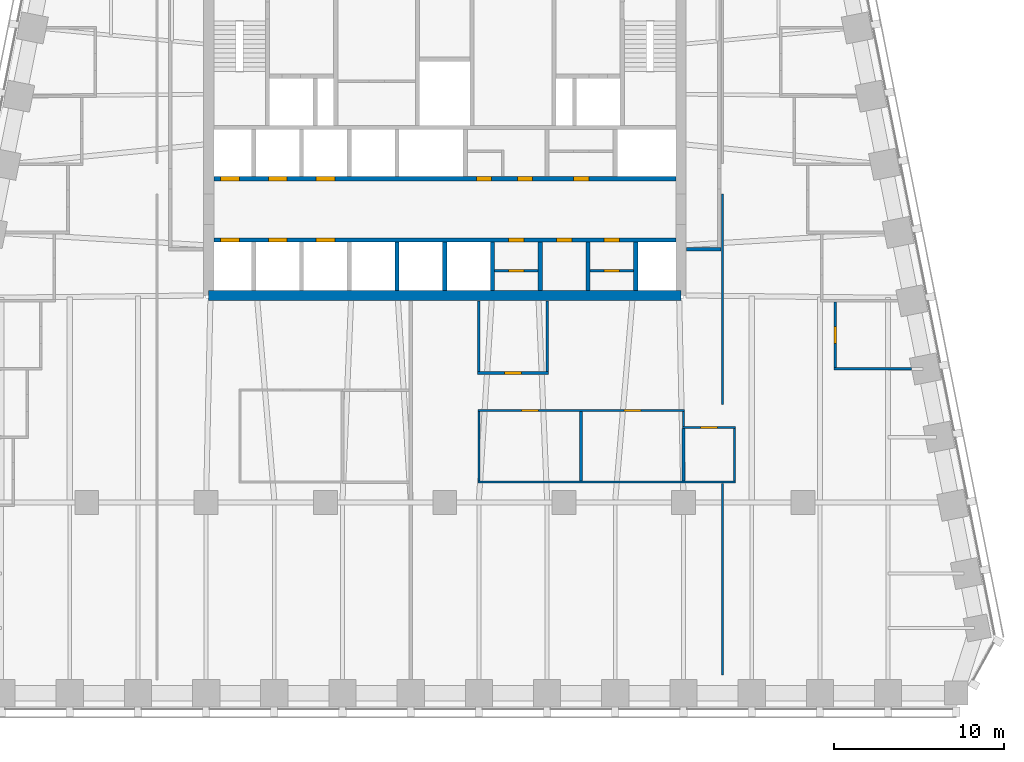
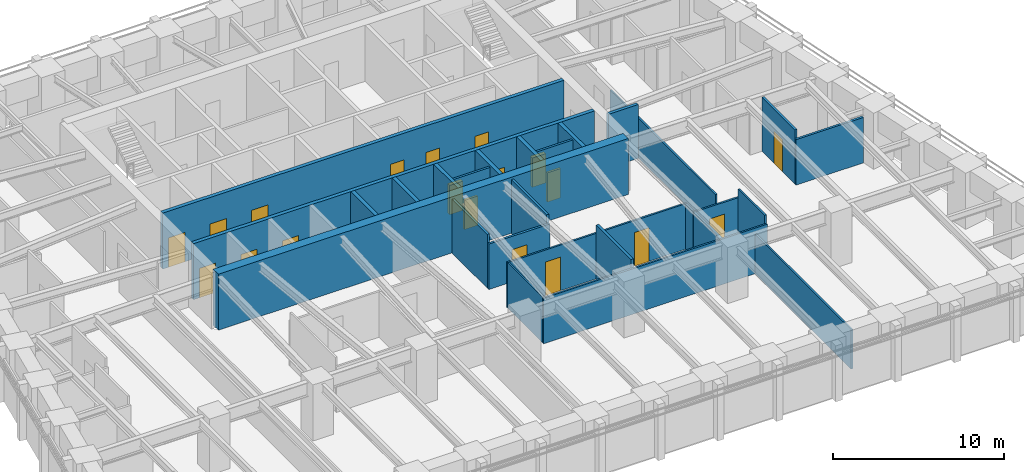
# One storey, part 6 of 10: 27 walls, 19 doors, 19 openings.
"""IFC4 building model written with IfcOpenShell, lengths in metres."""

from ifc_helpers import new_model, si_unit, direction, frame, frame_2d, origin, place, context, subcontext, project, spatial, rectangle, extrude, material, layer, layer_set, type_object, element, fill, save


model = new_model("IFC4")

# Units and contexts
model_context = context("Model", 3, precision=1e-05, world=origin(), true_north=direction((0.0, 1.0)))
body_context = subcontext(model_context, "Body", "Model", "MODEL_VIEW")
ifc_project = project(units=[si_unit("LENGTHUNIT", "METRE"), si_unit("AREAUNIT", "SQUARE_METRE"), si_unit("VOLUMEUNIT", "CUBIC_METRE"), si_unit("PLANEANGLEUNIT", "RADIAN"), si_unit("MASSUNIT", "GRAM", prefix="KILO")], contexts=[model_context])

# Site, building, storey
site_placement = place(None, origin())
site = spatial("IfcSite", under=ifc_project, at=site_placement, CompositionType="ELEMENT")
building_placement = place(site_placement, origin())
building = spatial("IfcBuilding", under=site, at=building_placement, Name="Isbrekke Arena Tower", CompositionType="ELEMENT")
storey_placement = place(building_placement, frame((0.0, 0.0, 190.0)))
storey = spatial("IfcBuildingStorey", under=building, at=storey_placement, Name="L43", CompositionType="ELEMENT", Elevation=190.0)

# Wall
ifc_material_1 = material(Name="Concrete B55 (C55/67)", Category="concrete")
ifc_layer_1 = layer(ifc_material_1, 0.60009765625)
ifc_layer_set_1 = layer_set([ifc_layer_1], Name="CW4 CORE WALL 600")
wall_type_1 = type_object("IfcWallType", Name="CW4 CORE WALL 600", PredefinedType="SHEAR", material=ifc_layer_set_1)
wall_1_placement = place(storey_placement, frame((-13.85009765625, 6.14990234375, 0.0), z_axis=(0.0, 0.0, 1.0), x_axis=(1.0, 0.0, 0.0)))
element("IfcWall", 1, at=wall_1_placement, inside=storey, type_object=wall_type_1, Name="Core wall S L43", PredefinedType="SHEAR", context=body_context, shape_type="SweptSolid", body=[
    extrude(rectangle(XDim=27.7001953125, YDim=0.60009765625, at=frame_2d((13.85009765625, 0.0))), origin(), (0.0, 0.0, 1.0), 4.0),
])

# Wall, openings, doors
ifc_material_2 = material(Name="Concrete B45 (C45/55)", Category="concrete")
ifc_layer_2 = layer(ifc_material_2, 0.25)
ifc_layer_set_2 = layer_set([ifc_layer_2], Name="CW6 SHAFT WALL 250")
wall_type_2 = type_object("IfcWallType", Name="CW6 SHAFT WALL 250", PredefinedType="SHEAR", material=ifc_layer_set_2)
wall_2_placement = place(storey_placement, frame((-13.550048828125, 9.39990234375, 0.0), z_axis=(0.0, 0.0, 1.0), x_axis=(1.0, 0.0, 0.0)))
wall_2 = element("IfcWall", 2, at=wall_2_placement, inside=storey, type_object=wall_type_2, Name="Core wall LS L43", PredefinedType="SHEAR", context=body_context, shape_type="SweptSolid", body=[
    extrude(rectangle(XDim=27.10009765625, YDim=0.25, at=frame_2d((13.550048828125, 0.0))), origin(), (0.0, 0.0, 1.0), 4.0),
])
opening_1_placement = place(wall_2_placement, frame((0.39990234375, 0.0, 0.0)))
opening_1 = element("IfcOpeningElement", 3, at=opening_1_placement, cuts=wall_2, Name="Opening LD1", PredefinedType="OPENING", context=body_context, shape_type="SweptSolid", body=[
    extrude(rectangle(XDim=1.10009765625, YDim=2.10009765625, at=frame_2d((0.550048828125, 1.050048828125))), frame((0.0, 0.139892578125, 0.0), z_axis=(0.0, -1.0, 0.0), x_axis=(1.0, 0.0, 0.0)), (0.0, 0.0, 1.0), 0.27978515625),
])
opening_2_placement = place(wall_2_placement, frame((3.199951171875, 0.0, 0.0)))
opening_2 = element("IfcOpeningElement", 4, at=opening_2_placement, cuts=wall_2, Name="Opening LD1", PredefinedType="OPENING", context=body_context, shape_type="SweptSolid", body=[
    extrude(rectangle(XDim=1.10009765625, YDim=2.10009765625, at=frame_2d((0.550048828125, 1.050048828125))), frame((0.0, 0.139892578125, 0.0), z_axis=(0.0, -1.0, 0.0), x_axis=(1.0, 0.0, 0.0)), (0.0, 0.0, 1.0), 0.27978515625),
])
opening_3_placement = place(wall_2_placement, frame((6.0, 0.0, 0.0)))
opening_3 = element("IfcOpeningElement", 5, at=opening_3_placement, cuts=wall_2, Name="Opening LD1", PredefinedType="OPENING", context=body_context, shape_type="SweptSolid", body=[
    extrude(rectangle(XDim=1.10009765625, YDim=2.10009765625, at=frame_2d((0.550048828125, 1.050048828125))), frame((0.0, 0.139892578125, 0.0), z_axis=(0.0, -1.0, 0.0), x_axis=(1.0, 0.0, 0.0)), (0.0, 0.0, 1.0), 0.27978515625),
])
opening_4_placement = place(wall_2_placement, frame((17.300048828125, 0.0, 0.0)))
opening_4 = element("IfcOpeningElement", 6, at=opening_4_placement, cuts=wall_2, Name="Opening D5", PredefinedType="OPENING", context=body_context, shape_type="SweptSolid", body=[
    extrude(rectangle(XDim=0.89990234375, YDim=2.10009765625, at=frame_2d((0.449951171875, 1.050048828125))), frame((0.0, 0.139892578125, 0.0), z_axis=(0.0, -1.0, 0.0), x_axis=(1.0, 0.0, 0.0)), (0.0, 0.0, 1.0), 0.27978515625),
])
opening_5_placement = place(wall_2_placement, frame((20.10009765625, 0.0, 0.0)))
opening_5 = element("IfcOpeningElement", 7, at=opening_5_placement, cuts=wall_2, Name="Opening D5", PredefinedType="OPENING", context=body_context, shape_type="SweptSolid", body=[
    extrude(rectangle(XDim=0.89990234375, YDim=2.10009765625, at=frame_2d((0.449951171875, 1.050048828125))), frame((0.0, 0.139892578125, 0.0), z_axis=(0.0, -1.0, 0.0), x_axis=(1.0, 0.0, 0.0)), (0.0, 0.0, 1.0), 0.27978515625),
])
opening_6_placement = place(wall_2_placement, frame((22.89990234375, 0.0, 0.0)))
opening_6 = element("IfcOpeningElement", 8, at=opening_6_placement, cuts=wall_2, Name="Opening D5", PredefinedType="OPENING", context=body_context, shape_type="SweptSolid", body=[
    extrude(rectangle(XDim=0.89990234375, YDim=2.10009765625, at=frame_2d((0.449951171875, 1.050048828125))), frame((0.0, 0.139892578125, 0.0), z_axis=(0.0, -1.0, 0.0), x_axis=(1.0, 0.0, 0.0)), (0.0, 0.0, 1.0), 0.27978515625),
])
ifc_material_3 = material(Name="Steel fire door", Category="steel")
door_type_1 = type_object("IfcDoorType", Name="D5 SERVICE DOOR 900 x 2100", OperationType="SINGLE_SWING_LEFT", PredefinedType="DOOR", material=ifc_material_3)
door_1_placement = place(opening_4_placement, origin())
door_1 = element("IfcDoor", 9, at=door_1_placement, inside=storey, type_object=door_type_1, Name="D5 first-aid room door L43", OperationType="SINGLE_SWING_LEFT", OverallHeight=2.10009765625, OverallWidth=0.89990234375, PredefinedType="DOOR", context=body_context, shape_type="SweptSolid", body=[
    extrude(rectangle(XDim=0.89990234375, YDim=2.10009765625, at=frame_2d((0.449951171875, 1.050048828125))), frame((0.0, 0.124755859375, 0.0), z_axis=(0.0, -1.0, 0.0), x_axis=(1.0, 0.0, 0.0)), (0.0, 0.0, 1.0), 0.24951171875),
])
fill(opening_4, door_1)
door_2_placement = place(opening_5_placement, origin())
door_2 = element("IfcDoor", 10, at=door_2_placement, inside=storey, type_object=door_type_1, Name="D5 tenant store door L43", OperationType="SINGLE_SWING_LEFT", OverallHeight=2.10009765625, OverallWidth=0.89990234375, PredefinedType="DOOR", context=body_context, shape_type="SweptSolid", body=[
    extrude(rectangle(XDim=0.89990234375, YDim=2.10009765625, at=frame_2d((0.449951171875, 1.050048828125))), frame((0.0, 0.124755859375, 0.0), z_axis=(0.0, -1.0, 0.0), x_axis=(1.0, 0.0, 0.0)), (0.0, 0.0, 1.0), 0.24951171875),
])
fill(opening_5, door_2)
door_3_placement = place(opening_6_placement, origin())
door_3 = element("IfcDoor", 11, at=door_3_placement, inside=storey, type_object=door_type_1, Name="D5 pantry door L43", OperationType="SINGLE_SWING_LEFT", OverallHeight=2.10009765625, OverallWidth=0.89990234375, PredefinedType="DOOR", context=body_context, shape_type="SweptSolid", body=[
    extrude(rectangle(XDim=0.89990234375, YDim=2.10009765625, at=frame_2d((0.449951171875, 1.050048828125))), frame((0.0, 0.124755859375, 0.0), z_axis=(0.0, -1.0, 0.0), x_axis=(1.0, 0.0, 0.0)), (0.0, 0.0, 1.0), 0.24951171875),
])
fill(opening_6, door_3)
ifc_material_4 = material(Name="Stainless steel lift landing door", Category="steel")
door_type_2 = type_object("IfcDoorType", Name="LD1 LIFT LANDING DOOR 1100 x 2100", OperationType="SLIDING_TO_LEFT", PredefinedType="DOOR", material=ifc_material_4)
door_4_placement = place(opening_1_placement, origin())
door_4 = element("IfcDoor", 12, at=door_4_placement, inside=storey, type_object=door_type_2, Name="LD1 lift landing door LC L43", OperationType="SLIDING_TO_LEFT", OverallHeight=2.10009765625, OverallWidth=1.10009765625, PredefinedType="DOOR", context=body_context, shape_type="SweptSolid", body=[
    extrude(rectangle(XDim=1.10009765625, YDim=2.10009765625, at=frame_2d((0.550048828125, 1.050048828125))), frame((0.0, 0.124755859375, 0.0), z_axis=(0.0, -1.0, 0.0), x_axis=(1.0, 0.0, 0.0)), (0.0, 0.0, 1.0), 0.24951171875),
])
fill(opening_1, door_4)
door_5_placement = place(opening_2_placement, origin())
door_5 = element("IfcDoor", 13, at=door_5_placement, inside=storey, type_object=door_type_2, Name="LD1 lift landing door LC L43", OperationType="SLIDING_TO_LEFT", OverallHeight=2.10009765625, OverallWidth=1.10009765625, PredefinedType="DOOR", context=body_context, shape_type="SweptSolid", body=[
    extrude(rectangle(XDim=1.10009765625, YDim=2.10009765625, at=frame_2d((0.550048828125, 1.050048828125))), frame((0.0, 0.124755859375, 0.0), z_axis=(0.0, -1.0, 0.0), x_axis=(1.0, 0.0, 0.0)), (0.0, 0.0, 1.0), 0.24951171875),
])
fill(opening_2, door_5)
door_6_placement = place(opening_3_placement, origin())
door_6 = element("IfcDoor", 14, at=door_6_placement, inside=storey, type_object=door_type_2, Name="LD1 lift landing door LC L43", OperationType="SLIDING_TO_LEFT", OverallHeight=2.10009765625, OverallWidth=1.10009765625, PredefinedType="DOOR", context=body_context, shape_type="SweptSolid", body=[
    extrude(rectangle(XDim=1.10009765625, YDim=2.10009765625, at=frame_2d((0.550048828125, 1.050048828125))), frame((0.0, 0.124755859375, 0.0), z_axis=(0.0, -1.0, 0.0), x_axis=(1.0, 0.0, 0.0)), (0.0, 0.0, 1.0), 0.24951171875),
])
fill(opening_3, door_6)

wall_3_placement = place(storey_placement, frame((-13.550048828125, 13.0, 0.0), z_axis=(0.0, 0.0, 1.0), x_axis=(1.0, 0.0, 0.0)))
wall_3 = element("IfcWall", 15, at=wall_3_placement, inside=storey, type_object=wall_type_2, Name="Core wall LN L43", PredefinedType="SHEAR", context=body_context, shape_type="SweptSolid", body=[
    extrude(rectangle(XDim=27.10009765625, YDim=0.25, at=frame_2d((13.550048828125, 0.0))), origin(), (0.0, 0.0, 1.0), 4.0),
])
opening_7_placement = place(wall_3_placement, frame((0.39990234375, 0.0, 0.0)))
opening_7 = element("IfcOpeningElement", 16, at=opening_7_placement, cuts=wall_3, Name="Opening LD1", PredefinedType="OPENING", context=body_context, shape_type="SweptSolid", body=[
    extrude(rectangle(XDim=1.10009765625, YDim=2.10009765625, at=frame_2d((0.550048828125, 1.050048828125))), frame((0.0, 0.139892578125, 0.0), z_axis=(0.0, -1.0, 0.0), x_axis=(1.0, 0.0, 0.0)), (0.0, 0.0, 1.0), 0.27978515625),
])
opening_8_placement = place(wall_3_placement, frame((3.199951171875, 0.0, 0.0)))
opening_8 = element("IfcOpeningElement", 17, at=opening_8_placement, cuts=wall_3, Name="Opening LD1", PredefinedType="OPENING", context=body_context, shape_type="SweptSolid", body=[
    extrude(rectangle(XDim=1.10009765625, YDim=2.10009765625, at=frame_2d((0.550048828125, 1.050048828125))), frame((0.0, 0.139892578125, 0.0), z_axis=(0.0, -1.0, 0.0), x_axis=(1.0, 0.0, 0.0)), (0.0, 0.0, 1.0), 0.27978515625),
])
opening_9_placement = place(wall_3_placement, frame((6.0, 0.0, 0.0)))
opening_9 = element("IfcOpeningElement", 18, at=opening_9_placement, cuts=wall_3, Name="Opening LD1", PredefinedType="OPENING", context=body_context, shape_type="SweptSolid", body=[
    extrude(rectangle(XDim=1.10009765625, YDim=2.10009765625, at=frame_2d((0.550048828125, 1.050048828125))), frame((0.0, 0.139892578125, 0.0), z_axis=(0.0, -1.0, 0.0), x_axis=(1.0, 0.0, 0.0)), (0.0, 0.0, 1.0), 0.27978515625),
])
opening_10_placement = place(wall_3_placement, frame((17.800048828125, 0.0, 0.0)))
opening_10 = element("IfcOpeningElement", 19, at=opening_10_placement, cuts=wall_3, Name="Opening D5", PredefinedType="OPENING", context=body_context, shape_type="SweptSolid", body=[
    extrude(rectangle(XDim=0.89990234375, YDim=2.10009765625, at=frame_2d((0.449951171875, 1.050048828125))), frame((0.0, 0.139892578125, 0.0), z_axis=(0.0, -1.0, 0.0), x_axis=(1.0, 0.0, 0.0)), (0.0, 0.0, 1.0), 0.27978515625),
])
opening_11_placement = place(wall_3_placement, frame((15.39990234375, 0.0, 0.0)))
opening_11 = element("IfcOpeningElement", 20, at=opening_11_placement, cuts=wall_3, Name="Opening D5", PredefinedType="OPENING", context=body_context, shape_type="SweptSolid", body=[
    extrude(rectangle(XDim=0.89990234375, YDim=2.10009765625, at=frame_2d((0.449951171875, 1.050048828125))), frame((0.0, 0.139892578125, 0.0), z_axis=(0.0, -1.0, 0.0), x_axis=(1.0, 0.0, 0.0)), (0.0, 0.0, 1.0), 0.27978515625),
])
opening_12_placement = place(wall_3_placement, frame((21.10009765625, 0.0, 0.0)))
opening_12 = element("IfcOpeningElement", 21, at=opening_12_placement, cuts=wall_3, Name="Opening D5", PredefinedType="OPENING", context=body_context, shape_type="SweptSolid", body=[
    extrude(rectangle(XDim=0.89990234375, YDim=2.10009765625, at=frame_2d((0.449951171875, 1.050048828125))), frame((0.0, 0.139892578125, 0.0), z_axis=(0.0, -1.0, 0.0), x_axis=(1.0, 0.0, 0.0)), (0.0, 0.0, 1.0), 0.27978515625),
])
door_7_placement = place(opening_10_placement, origin())
door_7 = element("IfcDoor", 22, at=door_7_placement, inside=storey, type_object=door_type_1, Name="D5 communications room door L43", OperationType="SINGLE_SWING_LEFT", OverallHeight=2.10009765625, OverallWidth=0.89990234375, PredefinedType="DOOR", context=body_context, shape_type="SweptSolid", body=[
    extrude(rectangle(XDim=0.89990234375, YDim=2.10009765625, at=frame_2d((0.449951171875, 1.050048828125))), frame((0.0, 0.124755859375, 0.0), z_axis=(0.0, -1.0, 0.0), x_axis=(1.0, 0.0, 0.0)), (0.0, 0.0, 1.0), 0.24951171875),
])
fill(opening_10, door_7)
door_8_placement = place(opening_11_placement, origin())
door_8 = element("IfcDoor", 23, at=door_8_placement, inside=storey, type_object=door_type_1, Name="D5 cleaner's store door L43", OperationType="SINGLE_SWING_LEFT", OverallHeight=2.10009765625, OverallWidth=0.89990234375, PredefinedType="DOOR", context=body_context, shape_type="SweptSolid", body=[
    extrude(rectangle(XDim=0.89990234375, YDim=2.10009765625, at=frame_2d((0.449951171875, 1.050048828125))), frame((0.0, 0.124755859375, 0.0), z_axis=(0.0, -1.0, 0.0), x_axis=(1.0, 0.0, 0.0)), (0.0, 0.0, 1.0), 0.24951171875),
])
fill(opening_11, door_8)
door_9_placement = place(opening_12_placement, origin())
door_9 = element("IfcDoor", 24, at=door_9_placement, inside=storey, type_object=door_type_1, Name="D5 tea point door L43", OperationType="SINGLE_SWING_LEFT", OverallHeight=2.10009765625, OverallWidth=0.89990234375, PredefinedType="DOOR", context=body_context, shape_type="SweptSolid", body=[
    extrude(rectangle(XDim=0.89990234375, YDim=2.10009765625, at=frame_2d((0.449951171875, 1.050048828125))), frame((0.0, 0.124755859375, 0.0), z_axis=(0.0, -1.0, 0.0), x_axis=(1.0, 0.0, 0.0)), (0.0, 0.0, 1.0), 0.24951171875),
])
fill(opening_12, door_9)
door_10_placement = place(opening_7_placement, origin())
door_10 = element("IfcDoor", 25, at=door_10_placement, inside=storey, type_object=door_type_2, Name="LD1 lift landing door LC L43", OperationType="SLIDING_TO_LEFT", OverallHeight=2.10009765625, OverallWidth=1.10009765625, PredefinedType="DOOR", context=body_context, shape_type="SweptSolid", body=[
    extrude(rectangle(XDim=1.10009765625, YDim=2.10009765625, at=frame_2d((0.550048828125, 1.050048828125))), frame((0.0, 0.124755859375, 0.0), z_axis=(0.0, -1.0, 0.0), x_axis=(1.0, 0.0, 0.0)), (0.0, 0.0, 1.0), 0.24951171875),
])
fill(opening_7, door_10)
door_11_placement = place(opening_8_placement, origin())
door_11 = element("IfcDoor", 26, at=door_11_placement, inside=storey, type_object=door_type_2, Name="LD1 lift landing door LC L43", OperationType="SLIDING_TO_LEFT", OverallHeight=2.10009765625, OverallWidth=1.10009765625, PredefinedType="DOOR", context=body_context, shape_type="SweptSolid", body=[
    extrude(rectangle(XDim=1.10009765625, YDim=2.10009765625, at=frame_2d((0.550048828125, 1.050048828125))), frame((0.0, 0.124755859375, 0.0), z_axis=(0.0, -1.0, 0.0), x_axis=(1.0, 0.0, 0.0)), (0.0, 0.0, 1.0), 0.24951171875),
])
fill(opening_8, door_11)
door_12_placement = place(opening_9_placement, origin())
door_12 = element("IfcDoor", 27, at=door_12_placement, inside=storey, type_object=door_type_2, Name="LD1 lift landing door LC L43", OperationType="SLIDING_TO_LEFT", OverallHeight=2.10009765625, OverallWidth=1.10009765625, PredefinedType="DOOR", context=body_context, shape_type="SweptSolid", body=[
    extrude(rectangle(XDim=1.10009765625, YDim=2.10009765625, at=frame_2d((0.550048828125, 1.050048828125))), frame((0.0, 0.124755859375, 0.0), z_axis=(0.0, -1.0, 0.0), x_axis=(1.0, 0.0, 0.0)), (0.0, 0.0, 1.0), 0.24951171875),
])
fill(opening_9, door_12)

# Walls
for number, where, z_axis, x_axis, name in (
    (28, (-2.800048828125, 6.449951171875, 0.0), (0.0, 0.0, 1.0), (0.0, 1.0, 0.0), "Core wall SS04 L43"),
    (29, (0.0, 6.449951171875, 0.0), (0.0, 0.0, 1.0), (0.0, 1.0, 0.0), "Core wall SS05 L43"),
    (30, (2.800048828125, 6.449951171875, 0.0), (0.0, 0.0, 1.0), (0.0, 1.0, 0.0), "Core wall SS06 L43"),
    (31, (5.60009765625, 6.449951171875, 0.0), (0.0, 0.0, 1.0), (0.0, 1.0, 0.0), "Core wall SS07 L43"),
    (32, (8.39990234375, 6.449951171875, 0.0), (0.0, 0.0, 1.0), (0.0, 1.0, 0.0), "Core wall SS08 L43"),
    (33, (11.199951171875, 6.449951171875, 0.0), (0.0, 0.0, 1.0), (0.0, 1.0, 0.0), "Core wall SS09 L43"),
):
    element("IfcWall", number, at=place(storey_placement, frame(where, z_axis=z_axis, x_axis=x_axis)), inside=storey, type_object=wall_type_2, Name=name, PredefinedType="SHEAR", context=body_context, shape_type="SweptSolid", body=[
        extrude(rectangle(XDim=2.824951171875, YDim=0.25, at=frame_2d((1.41259765625, 0.0))), origin(), (0.0, 0.0, 1.0), 4.0),
    ])

# Wall, opening, door
ifc_material_5 = material(Name="Gypsum board partition on steel studs", Category="steel")
ifc_layer_3 = layer(ifc_material_5, 0.14990234375)
ifc_layer_set_3 = layer_set([ifc_layer_3], Name="IW1 PARTITION 150")
wall_type_3 = type_object("IfcWallType", Name="IW1 PARTITION 150", PredefinedType="PARTITIONING", material=ifc_layer_set_3)
wall_4_placement = place(storey_placement, frame((1.925048828125, 1.60009765625, 0.0), z_axis=(0.0, 0.0, 1.0), x_axis=(1.0, 0.0, 0.0)))
wall_4 = element("IfcWall", 34, at=wall_4_placement, inside=storey, type_object=wall_type_3, Name="IW1 partition 150 L43", PredefinedType="PARTITIONING", context=body_context, shape_type="SweptSolid", body=[
    extrude(rectangle(XDim=4.14990234375, YDim=0.14990234375, at=frame_2d((2.074951171875, 0.0))), origin(), (0.0, 0.0, 1.0), 3.25),
])
opening_13_placement = place(wall_4_placement, frame((1.574951171875, 0.0, 0.0)))
opening_13 = element("IfcOpeningElement", 35, at=opening_13_placement, cuts=wall_4, Name="Opening D10", PredefinedType="OPENING", context=body_context, shape_type="SweptSolid", body=[
    extrude(rectangle(XDim=1.0, YDim=2.300048828125, at=frame_2d((0.5, 1.14990234375))), frame((0.0, 0.08984375, 0.0), z_axis=(0.0, -1.0, 0.0), x_axis=(1.0, 0.0, 0.0)), (0.0, 0.0, 1.0), 0.1796875),
])
ifc_material_6 = material(Name="Timber door", Category="wood")
door_type_3 = type_object("IfcDoorType", Name="D10 OFFICE DOOR 1000 x 2300", OperationType="SINGLE_SWING_LEFT", PredefinedType="DOOR", material=ifc_material_6)
door_13_placement = place(opening_13_placement, origin())
door_13 = element("IfcDoor", 36, at=door_13_placement, inside=storey, type_object=door_type_3, Name="D10 pantry door L43", OperationType="SINGLE_SWING_LEFT", OverallHeight=2.300048828125, OverallWidth=1.0, PredefinedType="DOOR", context=body_context, shape_type="SweptSolid", body=[
    extrude(rectangle(XDim=1.0, YDim=2.300048828125, at=frame_2d((0.5, 1.14990234375))), frame((0.0, 0.07470703125, 0.0), z_axis=(0.0, -1.0, 0.0), x_axis=(1.0, 0.0, 0.0)), (0.0, 0.0, 1.0), 0.1494140625),
])
fill(opening_13, door_13)

# Walls
wall_5_placement = place(storey_placement, frame((22.824951171875, 1.840087890625, 0.0), z_axis=(0.0, 0.0, 1.0), x_axis=(1.0, 0.0, 0.0)))
element("IfcWall", 37, at=wall_5_placement, inside=storey, type_object=wall_type_3, Name="IW1 partition 150 L43", PredefinedType="PARTITIONING", context=body_context, shape_type="SweptSolid", body=[
    extrude(rectangle(XDim=4.5498046875, YDim=0.14990234375, at=frame_2d((2.27490234375, 0.0))), origin(), (0.0, 0.0, 1.0), 3.25),
])
for number, where, z_axis, x_axis, name in (
    (38, (2.0, 1.675048828125, 0.0), (0.0, 0.0, 1.0), (0.0, 1.0, 0.0), "IW1 partition 150 L43"),
    (39, (6.0, 1.675048828125, 0.0), (0.0, 0.0, 1.0), (0.0, 1.0, 0.0), "IW1 partition 150 L43"),
):
    element("IfcWall", number, at=place(storey_placement, frame(where, z_axis=z_axis, x_axis=x_axis)), inside=storey, type_object=wall_type_3, Name=name, PredefinedType="PARTITIONING", context=body_context, shape_type="SweptSolid", body=[
        extrude(rectangle(XDim=4.14501953125, YDim=0.14990234375, at=frame_2d((2.072509765625, 0.0))), origin(), (0.0, 0.0, 1.0), 3.85009765625),
    ])

# Wall, opening, door
wall_6_placement = place(storey_placement, frame((22.89990234375, 1.9150390625, 0.0), z_axis=(0.0, 0.0, 1.0), x_axis=(0.0, 1.0, 0.0)))
wall_6 = element("IfcWall", 40, at=wall_6_placement, inside=storey, type_object=wall_type_3, Name="IW1 partition 150 L43", PredefinedType="PARTITIONING", context=body_context, shape_type="SweptSolid", body=[
    extrude(rectangle(XDim=3.849853515625, YDim=0.14990234375, at=frame_2d((1.9248046875, 0.0))), origin(), (0.0, 0.0, 1.0), 3.85009765625),
])
opening_14_placement = place(wall_6_placement, frame((1.425048828125, 0.0, 0.0)))
opening_14 = element("IfcOpeningElement", 41, at=opening_14_placement, cuts=wall_6, Name="Opening D10", PredefinedType="OPENING", context=body_context, shape_type="SweptSolid", body=[
    extrude(rectangle(XDim=1.0, YDim=2.300048828125, at=frame_2d((0.5, 1.14990234375))), frame((0.0, 0.08984375, 0.0), z_axis=(0.0, -1.0, 0.0), x_axis=(1.0, 0.0, 0.0)), (0.0, 0.0, 1.0), 0.1796875),
])
door_14_placement = place(opening_14_placement, origin())
door_14 = element("IfcDoor", 42, at=door_14_placement, inside=storey, type_object=door_type_3, Name="D10 office door L43", OperationType="SINGLE_SWING_LEFT", OverallHeight=2.300048828125, OverallWidth=1.0, PredefinedType="DOOR", context=body_context, shape_type="SweptSolid", body=[
    extrude(rectangle(XDim=1.0, YDim=2.300048828125, at=frame_2d((0.5, 1.14990234375))), frame((0.0, 0.07470703125, 0.0), z_axis=(0.0, -1.0, 0.0), x_axis=(1.0, 0.0, 0.0)), (0.0, 0.0, 1.0), 0.1494140625),
])
fill(opening_14, door_14)

# Wall
ifc_material_7 = material(Name="Frameless glazed partition, laminated acoustic glass", Category="glass")
ifc_layer_4 = layer(ifc_material_7, 0.1201171875)
ifc_layer_set_4 = layer_set([ifc_layer_4], Name="IW2 GLAZED PARTITION 120")
wall_type_4 = type_object("IfcWallType", Name="IW2 GLAZED PARTITION 120", PredefinedType="PARTITIONING", material=ifc_layer_set_4)
wall_7_placement = place(storey_placement, frame((1.93994140625, -4.800048828125, 0.0), z_axis=(0.0, 0.0, 1.0), x_axis=(1.0, 0.0, 0.0)))
element("IfcWall", 43, at=wall_7_placement, inside=storey, type_object=wall_type_4, Name="IW2 glazed partition 120 L43", PredefinedType="PARTITIONING", context=body_context, shape_type="SweptSolid", body=[
    extrude(rectangle(XDim=15.1201171875, YDim=0.1201171875, at=frame_2d((7.56005859375, 0.0))), origin(), (0.0, 0.0, 1.0), 3.25),
])

# Wall, opening, door
wall_8_placement = place(storey_placement, frame((13.93994140625, -1.60009765625, 0.0), z_axis=(0.0, 0.0, 1.0), x_axis=(1.0, 0.0, 0.0)))
wall_8 = element("IfcWall", 44, at=wall_8_placement, inside=storey, type_object=wall_type_4, Name="IW2 glazed partition 120 L43", PredefinedType="PARTITIONING", context=body_context, shape_type="SweptSolid", body=[
    extrude(rectangle(XDim=3.1201171875, YDim=0.1201171875, at=frame_2d((1.56005859375, 0.0))), origin(), (0.0, 0.0, 1.0), 3.25),
])
opening_15_placement = place(wall_8_placement, frame((1.06005859375, 0.0, 0.0)))
opening_15 = element("IfcOpeningElement", 45, at=opening_15_placement, cuts=wall_8, Name="Opening D11", PredefinedType="OPENING", context=body_context, shape_type="SweptSolid", body=[
    extrude(rectangle(XDim=1.0, YDim=2.39990234375, at=frame_2d((0.5, 1.199951171875))), frame((0.0, 0.074951171875, 0.0), z_axis=(0.0, -1.0, 0.0), x_axis=(1.0, 0.0, 0.0)), (0.0, 0.0, 1.0), 0.14990234375),
])
ifc_material_8 = material(Name="Frameless glazed door", Category="glass")
door_type_4 = type_object("IfcDoorType", Name="D11 GLAZED MEETING ROOM DOOR 1000 x 2400", OperationType="SINGLE_SWING_RIGHT", PredefinedType="DOOR", material=ifc_material_8)
door_15_placement = place(opening_15_placement, origin())
door_15 = element("IfcDoor", 46, at=door_15_placement, inside=storey, type_object=door_type_4, Name="D11 quiet room door L43", OperationType="SINGLE_SWING_RIGHT", OverallHeight=2.39990234375, OverallWidth=1.0, PredefinedType="DOOR", context=body_context, shape_type="SweptSolid", body=[
    extrude(rectangle(XDim=1.0, YDim=2.39990234375, at=frame_2d((0.5, 1.199951171875))), frame((0.0, 0.059814453125, 0.0), z_axis=(0.0, -1.0, 0.0), x_axis=(1.0, 0.0, 0.0)), (0.0, 0.0, 1.0), 0.11962890625),
])
fill(opening_15, door_15)

# Wall, openings, doors
wall_9_placement = place(storey_placement, frame((1.93994140625, -0.60009765625, 0.0), z_axis=(0.0, 0.0, 1.0), x_axis=(1.0, 0.0, 0.0)))
wall_9 = element("IfcWall", 47, at=wall_9_placement, inside=storey, type_object=wall_type_4, Name="IW2 glazed partition 120 L43", PredefinedType="PARTITIONING", context=body_context, shape_type="SweptSolid", body=[
    extrude(rectangle(XDim=12.1201171875, YDim=0.1201171875, at=frame_2d((6.06005859375, 0.0))), origin(), (0.0, 0.0, 1.0), 3.25),
])
opening_16_placement = place(wall_9_placement, frame((2.56005859375, 0.0, 0.0)))
opening_16 = element("IfcOpeningElement", 48, at=opening_16_placement, cuts=wall_9, Name="Opening D11", PredefinedType="OPENING", context=body_context, shape_type="SweptSolid", body=[
    extrude(rectangle(XDim=1.0, YDim=2.39990234375, at=frame_2d((0.5, 1.199951171875))), frame((0.0, 0.074951171875, 0.0), z_axis=(0.0, -1.0, 0.0), x_axis=(1.0, 0.0, 0.0)), (0.0, 0.0, 1.0), 0.14990234375),
])
opening_17_placement = place(wall_9_placement, frame((8.56005859375, 0.0, 0.0)))
opening_17 = element("IfcOpeningElement", 49, at=opening_17_placement, cuts=wall_9, Name="Opening D11", PredefinedType="OPENING", context=body_context, shape_type="SweptSolid", body=[
    extrude(rectangle(XDim=1.0, YDim=2.39990234375, at=frame_2d((0.5, 1.199951171875))), frame((0.0, 0.074951171875, 0.0), z_axis=(0.0, -1.0, 0.0), x_axis=(1.0, 0.0, 0.0)), (0.0, 0.0, 1.0), 0.14990234375),
])
door_16_placement = place(opening_16_placement, origin())
door_16 = element("IfcDoor", 50, at=door_16_placement, inside=storey, type_object=door_type_4, Name="D11 meeting room door L43", OperationType="SINGLE_SWING_RIGHT", OverallHeight=2.39990234375, OverallWidth=1.0, PredefinedType="DOOR", context=body_context, shape_type="SweptSolid", body=[
    extrude(rectangle(XDim=1.0, YDim=2.39990234375, at=frame_2d((0.5, 1.199951171875))), frame((0.0, 0.059814453125, 0.0), z_axis=(0.0, -1.0, 0.0), x_axis=(1.0, 0.0, 0.0)), (0.0, 0.0, 1.0), 0.11962890625),
])
fill(opening_16, door_16)
door_17_placement = place(opening_17_placement, origin())
door_17 = element("IfcDoor", 51, at=door_17_placement, inside=storey, type_object=door_type_4, Name="D11 meeting room door L43", OperationType="SINGLE_SWING_RIGHT", OverallHeight=2.39990234375, OverallWidth=1.0, PredefinedType="DOOR", context=body_context, shape_type="SweptSolid", body=[
    extrude(rectangle(XDim=1.0, YDim=2.39990234375, at=frame_2d((0.5, 1.199951171875))), frame((0.0, 0.059814453125, 0.0), z_axis=(0.0, -1.0, 0.0), x_axis=(1.0, 0.0, 0.0)), (0.0, 0.0, 1.0), 0.11962890625),
])
fill(opening_17, door_17)

# Walls
wall_10_placement = place(storey_placement, frame((2.0, -4.739990234375, 0.0), z_axis=(0.0, 0.0, 1.0), x_axis=(0.0, 1.0, 0.0)))
element("IfcWall", 52, at=wall_10_placement, inside=storey, type_object=wall_type_4, Name="IW2 glazed partition 120 L43", PredefinedType="PARTITIONING", context=body_context, shape_type="SweptSolid", body=[
    extrude(rectangle(XDim=4.080078125, YDim=0.1201171875, at=frame_2d((2.0400390625, 0.0))), origin(), (0.0, 0.0, 1.0), 3.25),
])
wall_11_placement = place(storey_placement, frame((14.0, -1.5400390625, 0.0), z_axis=(0.0, 0.0, 1.0), x_axis=(0.0, 1.0, 0.0)))
element("IfcWall", 53, at=wall_11_placement, inside=storey, type_object=wall_type_4, Name="IW2 glazed partition 120 L43", PredefinedType="PARTITIONING", context=body_context, shape_type="SweptSolid", body=[
    extrude(rectangle(XDim=0.880126953125, YDim=0.1201171875, at=frame_2d((0.43994140625, 0.0))), origin(), (0.0, 0.0, 1.0), 3.25),
])
wall_12_placement = place(storey_placement, frame((17.0, -4.739990234375, 0.0), z_axis=(0.0, 0.0, 1.0), x_axis=(0.0, 1.0, 0.0)))
element("IfcWall", 54, at=wall_12_placement, inside=storey, type_object=wall_type_4, Name="IW2 glazed partition 120 L43", PredefinedType="PARTITIONING", context=body_context, shape_type="SweptSolid", body=[
    extrude(rectangle(XDim=3.080078125, YDim=0.1201171875, at=frame_2d((1.5400390625, 0.0))), origin(), (0.0, 0.0, 1.0), 3.85009765625),
])
wall_13_placement = place(storey_placement, frame((16.281005859375, -16.10009765625, 0.0), z_axis=(0.0, 0.0, 1.0), x_axis=(0.0, 1.0, 0.0)))
element("IfcWall", 55, at=wall_13_placement, inside=storey, type_object=wall_type_4, Name="IW2 glazed partition 120 L43", PredefinedType="PARTITIONING", context=body_context, shape_type="SweptSolid", body=[
    extrude(rectangle(XDim=11.22021484375, YDim=0.1201171875, at=frame_2d((5.610107421875, 0.0))), origin(), (0.0, 0.0, 1.0), 2.842041015625),
])
wall_14_placement = place(storey_placement, frame((16.281005859375, -0.239990234375, 0.0), z_axis=(0.0, 0.0, 1.0), x_axis=(0.0, 1.0, 0.0)))
element("IfcWall", 56, at=wall_14_placement, inside=storey, type_object=wall_type_4, Name="IW2 glazed partition 120 L43", PredefinedType="PARTITIONING", context=body_context, shape_type="SweptSolid", body=[
    extrude(rectangle(XDim=12.340087890625, YDim=0.1201171875, at=frame_2d((6.169921875, 0.0))), origin(), (0.0, 0.0, 1.0), 2.842041015625),
])
ifc_material_9 = material(Name="Gypsum board fire-cell wall on steel studs, two layers each side", Category="steel")
ifc_layer_5 = layer(ifc_material_9, 0.199951171875)
ifc_layer_set_5 = layer_set([ifc_layer_5], Name="IW3 FIRE-CELL WALL 200")
wall_type_5 = type_object("IfcWallType", Name="IW3 FIRE-CELL WALL 200", PredefinedType="PARTITIONING", material=ifc_layer_set_5)
wall_15_placement = place(storey_placement, frame((14.179931640625, 8.85009765625, 0.0), z_axis=(0.0, 0.0, 1.0), x_axis=(1.0, 0.0, 0.0)))
element("IfcWall", 57, at=wall_15_placement, inside=storey, type_object=wall_type_5, Name="IW3 fire-cell wall 200 L43", PredefinedType="PARTITIONING", context=body_context, shape_type="SweptSolid", body=[
    extrude(rectangle(XDim=2.02001953125, YDim=0.199951171875, at=frame_2d((1.010009765625, 0.0))), origin(), (0.0, 0.0, 1.0), 3.85009765625),
])
ifc_material_10 = material(Name="Gypsum board acoustic partition on twin steel studs", Category="steel")
ifc_layer_6 = layer(ifc_material_10, 0.175048828125)
ifc_layer_set_6 = layer_set([ifc_layer_6], Name="IW4 ACOUSTIC PARTITION 175")
wall_type_6 = type_object("IfcWallType", Name="IW4 ACOUSTIC PARTITION 175", PredefinedType="PARTITIONING", material=ifc_layer_set_6)
wall_16_placement = place(storey_placement, frame((8.0, -4.739990234375, 0.0), z_axis=(0.0, 0.0, 1.0), x_axis=(0.0, 1.0, 0.0)))
element("IfcWall", 58, at=wall_16_placement, inside=storey, type_object=wall_type_6, Name="IW4 acoustic partition 175 L43", PredefinedType="PARTITIONING", context=body_context, shape_type="SweptSolid", body=[
    extrude(rectangle(XDim=4.080078125, YDim=0.175048828125, at=frame_2d((2.0400390625, 0.0))), origin(), (0.0, 0.0, 1.0), 3.85009765625),
])
wall_17_placement = place(storey_placement, frame((14.0, -4.739990234375, 0.0), z_axis=(0.0, 0.0, 1.0), x_axis=(0.0, 1.0, 0.0)))
element("IfcWall", 59, at=wall_17_placement, inside=storey, type_object=wall_type_6, Name="IW4 acoustic partition 175 L43", PredefinedType="PARTITIONING", context=body_context, shape_type="SweptSolid", body=[
    extrude(rectangle(XDim=3.080078125, YDim=0.175048828125, at=frame_2d((1.5400390625, 0.0))), origin(), (0.0, 0.0, 1.0), 3.25),
])

# Wall, opening, door
ifc_material_11 = material(Name="Gypsum board fire-rated partition on steel studs, two layers each side", Category="steel")
ifc_layer_7 = layer(ifc_material_11, 0.14990234375)
ifc_layer_set_7 = layer_set([ifc_layer_7], Name="IW5 FIRE-RATED PARTITION 150")
wall_type_7 = type_object("IfcWallType", Name="IW5 FIRE-RATED PARTITION 150", PredefinedType="PARTITIONING", material=ifc_layer_set_7)
wall_18_placement = place(storey_placement, frame((2.925048828125, 7.60009765625, 0.0), z_axis=(0.0, 0.0, 1.0), x_axis=(1.0, 0.0, 0.0)))
wall_18 = element("IfcWall", 60, at=wall_18_placement, inside=storey, type_object=wall_type_7, Name="IW5 fire-rated partition L43 core service rooms 4", PredefinedType="PARTITIONING", context=body_context, shape_type="SweptSolid", body=[
    extrude(rectangle(XDim=2.550048828125, YDim=0.14990234375, at=frame_2d((1.27490234375, 0.0))), origin(), (0.0, 0.0, 1.0), 3.85009765625),
])
opening_18_placement = place(wall_18_placement, frame((0.824951171875, 0.0, 0.0)))
opening_18 = element("IfcOpeningElement", 61, at=opening_18_placement, cuts=wall_18, Name="Opening D5", PredefinedType="OPENING", context=body_context, shape_type="SweptSolid", body=[
    extrude(rectangle(XDim=0.89990234375, YDim=2.10009765625, at=frame_2d((0.449951171875, 1.050048828125))), frame((0.0, 0.08984375, 0.0), z_axis=(0.0, -1.0, 0.0), x_axis=(1.0, 0.0, 0.0)), (0.0, 0.0, 1.0), 0.1796875),
])
door_18_placement = place(opening_18_placement, origin())
door_18 = element("IfcDoor", 62, at=door_18_placement, inside=storey, type_object=door_type_1, Name="D5 store door L43", OperationType="SINGLE_SWING_LEFT", OverallHeight=2.10009765625, OverallWidth=0.89990234375, PredefinedType="DOOR", context=body_context, shape_type="SweptSolid", body=[
    extrude(rectangle(XDim=0.89990234375, YDim=2.10009765625, at=frame_2d((0.449951171875, 1.050048828125))), frame((0.0, 0.07470703125, 0.0), z_axis=(0.0, -1.0, 0.0), x_axis=(1.0, 0.0, 0.0)), (0.0, 0.0, 1.0), 0.1494140625),
])
fill(opening_18, door_18)

wall_19_placement = place(storey_placement, frame((8.52490234375, 7.60009765625, 0.0), z_axis=(0.0, 0.0, 1.0), x_axis=(1.0, 0.0, 0.0)))
wall_19 = element("IfcWall", 63, at=wall_19_placement, inside=storey, type_object=wall_type_7, Name="IW5 fire-rated partition L43 core service rooms 5", PredefinedType="PARTITIONING", context=body_context, shape_type="SweptSolid", body=[
    extrude(rectangle(XDim=2.550048828125, YDim=0.14990234375, at=frame_2d((1.27490234375, 0.0))), origin(), (0.0, 0.0, 1.0), 3.85009765625),
])
opening_19_placement = place(wall_19_placement, frame((0.824951171875, 0.0, 0.0)))
opening_19 = element("IfcOpeningElement", 64, at=opening_19_placement, cuts=wall_19, Name="Opening D5", PredefinedType="OPENING", context=body_context, shape_type="SweptSolid", body=[
    extrude(rectangle(XDim=0.89990234375, YDim=2.10009765625, at=frame_2d((0.449951171875, 1.050048828125))), frame((0.0, 0.08984375, 0.0), z_axis=(0.0, -1.0, 0.0), x_axis=(1.0, 0.0, 0.0)), (0.0, 0.0, 1.0), 0.1796875),
])
door_19_placement = place(opening_19_placement, origin())
door_19 = element("IfcDoor", 65, at=door_19_placement, inside=storey, type_object=door_type_1, Name="D5 archive door L43", OperationType="SINGLE_SWING_LEFT", OverallHeight=2.10009765625, OverallWidth=0.89990234375, PredefinedType="DOOR", context=body_context, shape_type="SweptSolid", body=[
    extrude(rectangle(XDim=0.89990234375, YDim=2.10009765625, at=frame_2d((0.449951171875, 1.050048828125))), frame((0.0, 0.07470703125, 0.0), z_axis=(0.0, -1.0, 0.0), x_axis=(1.0, 0.0, 0.0)), (0.0, 0.0, 1.0), 0.1494140625),
])
fill(opening_19, door_19)

save(model, "model.ifc")
